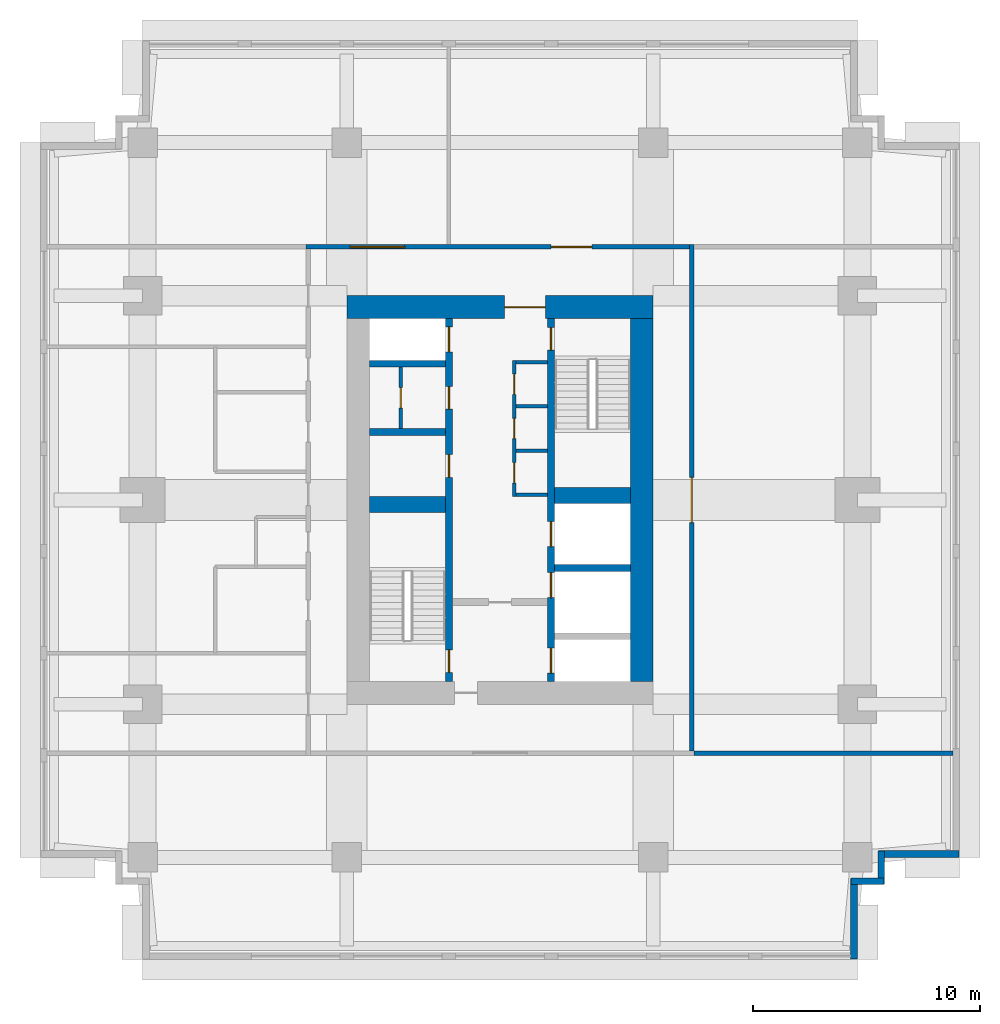
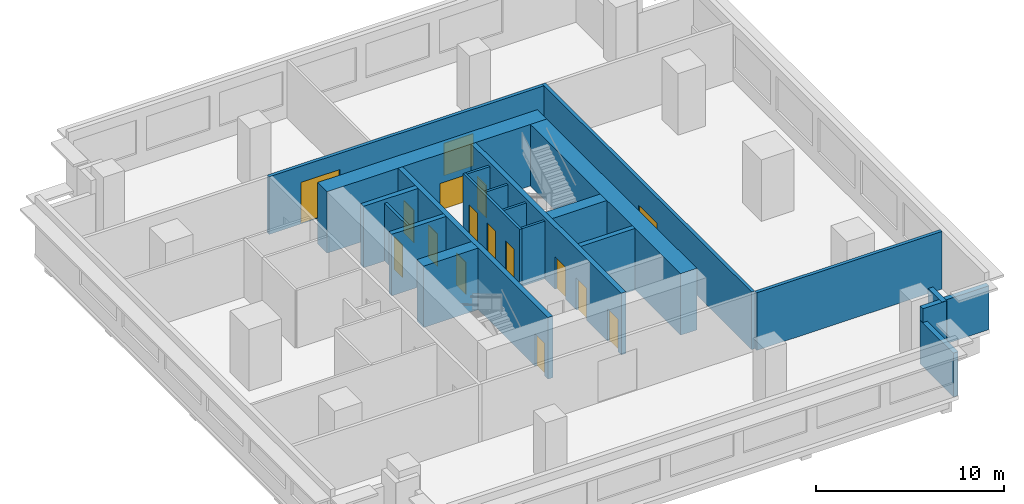
# One storey, part 3 of 5: 22 walls, 16 doors, 16 openings.
"""IFC4 building model written with IfcOpenShell, lengths in metres."""

from ifc_helpers import new_model, si_unit, direction, frame, frame_2d, origin, place, context, subcontext, project, spatial, rectangle, extrude, material, layer, layer_set, type_object, element, fill, save


model = new_model("IFC4")

# Units and contexts
model_context = context("Model", 3, precision=1e-05, world=origin(), true_north=direction((0.0, 1.0)))
body_context = subcontext(model_context, "Body", "Model", "MODEL_VIEW")
ifc_project = project(units=[si_unit("LENGTHUNIT", "METRE"), si_unit("AREAUNIT", "SQUARE_METRE"), si_unit("VOLUMEUNIT", "CUBIC_METRE"), si_unit("PLANEANGLEUNIT", "RADIAN"), si_unit("MASSUNIT", "GRAM", prefix="KILO")], contexts=[model_context])

# Site, building, storey
site_placement = place(None, origin())
site = spatial("IfcSite", under=ifc_project, at=site_placement, CompositionType="ELEMENT")
building_placement = place(site_placement, origin())
building = spatial("IfcBuilding", under=site, at=building_placement, Name="Namib Vertical Campus", CompositionType="ELEMENT")
storey_placement = place(building_placement, frame((0.0, 0.0, 289.0)))
storey = spatial("IfcBuildingStorey", under=building, at=storey_placement, Name="L68", CompositionType="ELEMENT", Elevation=289.0)

# Wall, openings, doors
ifc_material_1 = material(Name="Concrete C60/75", Category="concrete")
ifc_layer_1 = layer(ifc_material_1, 0.300048828125)
ifc_layer_set_1 = layer_set([ifc_layer_1], Name="Concrete C60/75")
wall_type_1 = type_object("IfcWallType", Name="Core inner wall 300", PredefinedType="SHEAR", material=ifc_layer_set_1)
wall_1_placement = place(storey_placement, frame((18.0, 12.25, 0.0), z_axis=(0.0, 0.0, 1.0), x_axis=(0.0, 1.0, 0.0)))
wall_1 = element("IfcWall", 1, at=wall_1_placement, inside=storey, type_object=wall_type_1, Name="Core inner wall A L68 W1", PredefinedType="SHEAR", context=body_context, shape_type="SweptSolid", body=[
    extrude(rectangle(XDim=16.0, YDim=0.300048828125, at=frame_2d((8.0, 0.0))), origin(), (0.0, 0.0, 1.0), 4.0),
])
opening_1_placement = place(wall_1_placement, frame((0.39990234375, 0.0, 0.0)))
opening_1 = element("IfcOpeningElement", 2, at=opening_1_placement, cuts=wall_1, Name="Opening FD1", PredefinedType="OPENING", context=body_context, shape_type="SweptSolid", body=[
    extrude(rectangle(XDim=1.0, YDim=2.10009765625, at=frame_2d((0.5, 1.050048828125))), frame((0.0, 0.159912109375, 0.0), z_axis=(0.0, -1.0, 0.0), x_axis=(1.0, 0.0, 0.0)), (0.0, 0.0, 1.0), 0.320068359375),
])
opening_2_placement = place(wall_1_placement, frame((14.52490234375, 0.0, 0.0)))
opening_2 = element("IfcOpeningElement", 3, at=opening_2_placement, cuts=wall_1, Name="Opening LD1", PredefinedType="OPENING", context=body_context, shape_type="SweptSolid", body=[
    extrude(rectangle(XDim=1.10009765625, YDim=2.10009765625, at=frame_2d((0.550048828125, 1.050048828125))), frame((0.0, 0.159912109375, 0.0), z_axis=(0.0, -1.0, 0.0), x_axis=(1.0, 0.0, 0.0)), (0.0, 0.0, 1.0), 0.320068359375),
])
opening_3_placement = place(wall_1_placement, frame((9.0, 0.0, 0.0)))
opening_3 = element("IfcOpeningElement", 4, at=opening_3_placement, cuts=wall_1, Name="Opening D1", PredefinedType="OPENING", context=body_context, shape_type="SweptSolid", body=[
    extrude(rectangle(XDim=1.0, YDim=2.10009765625, at=frame_2d((0.5, 1.050048828125))), frame((0.0, 0.159912109375, 0.0), z_axis=(0.0, -1.0, 0.0), x_axis=(1.0, 0.0, 0.0)), (0.0, 0.0, 1.0), 0.320068359375),
])
opening_4_placement = place(wall_1_placement, frame((12.0, 0.0, 0.0)))
opening_4 = element("IfcOpeningElement", 5, at=opening_4_placement, cuts=wall_1, Name="Opening D1", PredefinedType="OPENING", context=body_context, shape_type="SweptSolid", body=[
    extrude(rectangle(XDim=1.0, YDim=2.10009765625, at=frame_2d((0.5, 1.050048828125))), frame((0.0, 0.159912109375, 0.0), z_axis=(0.0, -1.0, 0.0), x_axis=(1.0, 0.0, 0.0)), (0.0, 0.0, 1.0), 0.320068359375),
])
ifc_material_2 = material(Name="Timber door leaf", Category="wood")
door_type_1 = type_object("IfcDoorType", Name="Door single 1000x2100", OperationType="SINGLE_SWING_LEFT", PredefinedType="DOOR", material=ifc_material_2)
door_1_placement = place(opening_3_placement, origin())
door_1 = element("IfcDoor", 6, at=door_1_placement, inside=storey, type_object=door_type_1, Name="Door D1 Comms room A L68 P1", OperationType="SINGLE_SWING_LEFT", OverallHeight=2.10009765625, OverallWidth=1.0, PredefinedType="DOOR", context=body_context, shape_type="SweptSolid", body=[
    extrude(rectangle(XDim=1.0, YDim=2.10009765625, at=frame_2d((0.5, 1.050048828125))), frame((0.0, 0.02490234375, 0.0), z_axis=(0.0, -1.0, 0.0), x_axis=(1.0, 0.0, 0.0)), (0.0, 0.0, 1.0), 0.050048828125),
])
fill(opening_3, door_1)
door_2_placement = place(opening_4_placement, origin())
door_2 = element("IfcDoor", 7, at=door_2_placement, inside=storey, type_object=door_type_1, Name="Door D1 Store A L68 P2", OperationType="SINGLE_SWING_LEFT", OverallHeight=2.10009765625, OverallWidth=1.0, PredefinedType="DOOR", context=body_context, shape_type="SweptSolid", body=[
    extrude(rectangle(XDim=1.0, YDim=2.10009765625, at=frame_2d((0.5, 1.050048828125))), frame((0.0, 0.02490234375, 0.0), z_axis=(0.0, -1.0, 0.0), x_axis=(1.0, 0.0, 0.0)), (0.0, 0.0, 1.0), 0.050048828125),
])
fill(opening_4, door_2)
ifc_material_3 = material(Name="Steel fire door", Category="steel")
door_type_2 = type_object("IfcDoorType", Name="Fire door 1000x2100", OperationType="SINGLE_SWING_RIGHT", PredefinedType="DOOR", material=ifc_material_3)
door_3_placement = place(opening_1_placement, origin())
door_3 = element("IfcDoor", 8, at=door_3_placement, inside=storey, type_object=door_type_2, Name="Stair door FD1 A L68 S1", OperationType="SINGLE_SWING_LEFT", OverallHeight=2.10009765625, OverallWidth=1.0, PredefinedType="DOOR", context=body_context, shape_type="SweptSolid", body=[
    extrude(rectangle(XDim=1.0, YDim=2.10009765625, at=frame_2d((0.5, 1.050048828125))), frame((0.0, 0.02490234375, 0.0), z_axis=(0.0, -1.0, 0.0), x_axis=(1.0, 0.0, 0.0)), (0.0, 0.0, 1.0), 0.050048828125),
])
fill(opening_1, door_3)
ifc_material_4 = material(Name="Stainless steel lift door", Category="steel")
door_type_3 = type_object("IfcDoorType", Name="Lift landing door 1100x2100", OperationType="DOUBLE_DOOR_SLIDING", PredefinedType="DOOR", material=ifc_material_4)
door_4_placement = place(opening_2_placement, origin())
door_4 = element("IfcDoor", 9, at=door_4_placement, inside=storey, type_object=door_type_3, Name="Lift landing door LD1 A-P3 L68", OperationType="DOUBLE_DOOR_SLIDING", OverallHeight=2.10009765625, OverallWidth=1.10009765625, PredefinedType="DOOR", context=body_context, shape_type="SweptSolid", body=[
    extrude(rectangle(XDim=1.10009765625, YDim=2.10009765625, at=frame_2d((0.550048828125, 1.050048828125))), frame((0.0, 0.02490234375, 0.0), z_axis=(0.0, -1.0, 0.0), x_axis=(1.0, 0.0, 0.0)), (0.0, 0.0, 1.0), 0.050048828125),
])
fill(opening_2, door_4)

wall_2_placement = place(storey_placement, frame((22.5, 12.25, 0.0), z_axis=(0.0, 0.0, 1.0), x_axis=(0.0, 1.0, 0.0)))
wall_2 = element("IfcWall", 10, at=wall_2_placement, inside=storey, type_object=wall_type_1, Name="Core inner wall A L68 W2", PredefinedType="SHEAR", context=body_context, shape_type="SweptSolid", body=[
    extrude(rectangle(XDim=16.0, YDim=0.300048828125, at=frame_2d((8.0, 0.0))), origin(), (0.0, 0.0, 1.0), 4.0),
])
opening_5_placement = place(wall_2_placement, frame((14.60009765625, 0.0, 0.0)))
opening_5 = element("IfcOpeningElement", 11, at=opening_5_placement, cuts=wall_2, Name="Opening FD1", PredefinedType="OPENING", context=body_context, shape_type="SweptSolid", body=[
    extrude(rectangle(XDim=1.0, YDim=2.10009765625, at=frame_2d((0.5, 1.050048828125))), frame((0.0, 0.159912109375, 0.0), z_axis=(0.0, -1.0, 0.0), x_axis=(1.0, 0.0, 0.0)), (0.0, 0.0, 1.0), 0.320068359375),
])
opening_6_placement = place(wall_2_placement, frame((0.375, 0.0, 0.0)))
opening_6 = element("IfcOpeningElement", 12, at=opening_6_placement, cuts=wall_2, Name="Opening LD1", PredefinedType="OPENING", context=body_context, shape_type="SweptSolid", body=[
    extrude(rectangle(XDim=1.10009765625, YDim=2.10009765625, at=frame_2d((0.550048828125, 1.050048828125))), frame((0.0, 0.159912109375, 0.0), z_axis=(0.0, -1.0, 0.0), x_axis=(1.0, 0.0, 0.0)), (0.0, 0.0, 1.0), 0.320068359375),
])
opening_7_placement = place(wall_2_placement, frame((3.699951171875, 0.0, 0.0)))
opening_7 = element("IfcOpeningElement", 13, at=opening_7_placement, cuts=wall_2, Name="Opening LD1", PredefinedType="OPENING", context=body_context, shape_type="SweptSolid", body=[
    extrude(rectangle(XDim=1.10009765625, YDim=2.10009765625, at=frame_2d((0.550048828125, 1.050048828125))), frame((0.0, 0.159912109375, 0.0), z_axis=(0.0, -1.0, 0.0), x_axis=(1.0, 0.0, 0.0)), (0.0, 0.0, 1.0), 0.320068359375),
])
opening_8_placement = place(wall_2_placement, frame((5.949951171875, 0.0, 0.0)))
opening_8 = element("IfcOpeningElement", 14, at=opening_8_placement, cuts=wall_2, Name="Opening LD1", PredefinedType="OPENING", context=body_context, shape_type="SweptSolid", body=[
    extrude(rectangle(XDim=1.10009765625, YDim=2.10009765625, at=frame_2d((0.550048828125, 1.050048828125))), frame((0.0, 0.159912109375, 0.0), z_axis=(0.0, -1.0, 0.0), x_axis=(1.0, 0.0, 0.0)), (0.0, 0.0, 1.0), 0.320068359375),
])
door_5_placement = place(opening_5_placement, frame((1.0, 0.0, 0.0), z_axis=(0.0, 0.0, 1.0), x_axis=(-1.0, 0.0, 0.0)))
door_5 = element("IfcDoor", 15, at=door_5_placement, inside=storey, type_object=door_type_2, Name="Stair door FD1 A L68 S2", OperationType="SINGLE_SWING_LEFT", OverallHeight=2.10009765625, OverallWidth=1.0, PredefinedType="DOOR", context=body_context, shape_type="SweptSolid", body=[
    extrude(rectangle(XDim=1.0, YDim=2.10009765625, at=frame_2d((0.5, 1.050048828125))), frame((0.0, 0.02490234375, 0.0), z_axis=(0.0, -1.0, 0.0), x_axis=(1.0, 0.0, 0.0)), (0.0, 0.0, 1.0), 0.050048828125),
])
fill(opening_5, door_5)
door_6_placement = place(opening_6_placement, origin())
door_6 = element("IfcDoor", 16, at=door_6_placement, inside=storey, type_object=door_type_3, Name="Lift landing door LD1 A-FL1 L68", OperationType="DOUBLE_DOOR_SLIDING", OverallHeight=2.10009765625, OverallWidth=1.10009765625, PredefinedType="DOOR", context=body_context, shape_type="SweptSolid", body=[
    extrude(rectangle(XDim=1.10009765625, YDim=2.10009765625, at=frame_2d((0.550048828125, 1.050048828125))), frame((0.0, 0.02490234375, 0.0), z_axis=(0.0, -1.0, 0.0), x_axis=(1.0, 0.0, 0.0)), (0.0, 0.0, 1.0), 0.050048828125),
])
fill(opening_6, door_6)
door_7_placement = place(opening_7_placement, origin())
door_7 = element("IfcDoor", 17, at=door_7_placement, inside=storey, type_object=door_type_3, Name="Lift landing door LD1 A-P4 L68", OperationType="DOUBLE_DOOR_SLIDING", OverallHeight=2.10009765625, OverallWidth=1.10009765625, PredefinedType="DOOR", context=body_context, shape_type="SweptSolid", body=[
    extrude(rectangle(XDim=1.10009765625, YDim=2.10009765625, at=frame_2d((0.550048828125, 1.050048828125))), frame((0.0, 0.02490234375, 0.0), z_axis=(0.0, -1.0, 0.0), x_axis=(1.0, 0.0, 0.0)), (0.0, 0.0, 1.0), 0.050048828125),
])
fill(opening_7, door_7)
door_8_placement = place(opening_8_placement, origin())
door_8 = element("IfcDoor", 18, at=door_8_placement, inside=storey, type_object=door_type_3, Name="Lift landing door LD1 A-P5 L68", OperationType="DOUBLE_DOOR_SLIDING", OverallHeight=2.10009765625, OverallWidth=1.10009765625, PredefinedType="DOOR", context=body_context, shape_type="SweptSolid", body=[
    extrude(rectangle(XDim=1.10009765625, YDim=2.10009765625, at=frame_2d((0.550048828125, 1.050048828125))), frame((0.0, 0.02490234375, 0.0), z_axis=(0.0, -1.0, 0.0), x_axis=(1.0, 0.0, 0.0)), (0.0, 0.0, 1.0), 0.050048828125),
])
fill(opening_8, door_8)

# Walls
for number, where, z_axis, x_axis, name in (
    (19, (22.64990234375, 17.25, 0.0), (0.0, 0.0, 1.0), (1.0, 0.0, 0.0), "Core inner wall A L68 W6"),
    (20, (14.5, 23.25, 0.0), (0.0, 0.0, 1.0), (1.0, 0.0, 0.0), "Core inner wall A L68 W8"),
    (21, (14.5, 26.25, 0.0), (0.0, 0.0, 1.0), (1.0, 0.0, 0.0), "Core inner wall A L68 W9"),
):
    element("IfcWall", number, at=place(storey_placement, frame(where, z_axis=z_axis, x_axis=x_axis)), inside=storey, type_object=wall_type_1, Name=name, PredefinedType="SHEAR", context=body_context, shape_type="SweptSolid", body=[
        extrude(rectangle(XDim=3.35009765625, YDim=0.300048828125, at=frame_2d((1.675048828125, 0.0))), origin(), (0.0, 0.0, 1.0), 4.0),
    ])
ifc_material_5 = material(Name="Concrete C60/75", Category="concrete")
ifc_layer_2 = layer(ifc_material_5, 0.699951171875)
ifc_layer_set_2 = layer_set([ifc_layer_2], Name="Concrete C60/75")
wall_type_2 = type_object("IfcWallType", Name="Core shear wall 700", PredefinedType="SHEAR", material=ifc_layer_set_2)
for number, where, z_axis, x_axis, name in (
    (22, (14.5, 20.050048828125, 0.0), (0.0, 0.0, 1.0), (1.0, 0.0, 0.0), "Core shear wall A L68 W3"),
    (23, (22.64990234375, 20.449951171875, 0.0), (0.0, 0.0, 1.0), (1.0, 0.0, 0.0), "Core shear wall A L68 W7"),
):
    element("IfcWall", number, at=place(storey_placement, frame(where, z_axis=z_axis, x_axis=x_axis)), inside=storey, type_object=wall_type_2, Name=name, PredefinedType="SHEAR", context=body_context, shape_type="SweptSolid", body=[
        extrude(rectangle(XDim=3.35009765625, YDim=0.699951171875, at=frame_2d((1.675048828125, 0.0))), origin(), (0.0, 0.0, 1.0), 4.0),
    ])
ifc_material_6 = material(Name="Concrete C60/75", Category="concrete")
ifc_layer_3 = layer(ifc_material_6, 1.0)
ifc_layer_set_3 = layer_set([ifc_layer_3], Name="Concrete C60/75")
wall_type_3 = type_object("IfcWallType", Name="Core wall 1000", PredefinedType="SHEAR", material=ifc_layer_set_3)
wall_3_placement = place(storey_placement, frame((26.5, 12.25, 0.0), z_axis=(0.0, 0.0, 1.0), x_axis=(0.0, 1.0, 0.0)))
element("IfcWall", 24, at=wall_3_placement, inside=storey, type_object=wall_type_3, Name="Core wall A L68 2", PredefinedType="SHEAR", context=body_context, shape_type="SweptSolid", body=[
    extrude(rectangle(XDim=16.0, YDim=1.0, at=frame_2d((8.0, 0.0))), origin(), (0.0, 0.0, 1.0), 4.0),
])

# Wall, opening, door
wall_4_placement = place(storey_placement, frame((27.0, 28.75, 0.0), z_axis=(0.0, 0.0, 1.0), x_axis=(-1.0, 0.0, 0.0)))
wall_4 = element("IfcWall", 25, at=wall_4_placement, inside=storey, type_object=wall_type_3, Name="Core wall A L68 3", PredefinedType="SHEAR", context=body_context, shape_type="SweptSolid", body=[
    extrude(rectangle(XDim=13.5, YDim=1.0, at=frame_2d((6.75, 0.0))), origin(), (0.0, 0.0, 1.0), 4.0),
])
opening_9_placement = place(wall_4_placement, frame((4.75, 0.0, 0.0)))
opening_9 = element("IfcOpeningElement", 26, at=opening_9_placement, cuts=wall_4, Name="Opening FD2", PredefinedType="OPENING", context=body_context, shape_type="SweptSolid", body=[
    extrude(rectangle(XDim=1.800048828125, YDim=2.10009765625, at=frame_2d((0.89990234375, 1.050048828125))), frame((0.0, 0.510009765625, 0.0), z_axis=(0.0, -1.0, 0.0), x_axis=(1.0, 0.0, 0.0)), (0.0, 0.0, 1.0), 1.02001953125),
])
ifc_material_7 = material(Name="Steel fire door", Category="steel")
door_type_4 = type_object("IfcDoorType", Name="Fire door double 1800x2100", OperationType="DOUBLE_DOOR_SINGLE_SWING", PredefinedType="DOOR", material=ifc_material_7)
door_9_placement = place(opening_9_placement, origin())
door_9 = element("IfcDoor", 27, at=door_9_placement, inside=storey, type_object=door_type_4, Name="Lift lobby door FD2 A L68", OperationType="DOUBLE_DOOR_SINGLE_SWING", OverallHeight=2.10009765625, OverallWidth=1.800048828125, PredefinedType="DOOR", context=body_context, shape_type="SweptSolid", body=[
    extrude(rectangle(XDim=1.800048828125, YDim=2.10009765625, at=frame_2d((0.89990234375, 1.050048828125))), frame((0.0, 0.02490234375, 0.0), z_axis=(0.0, -1.0, 0.0), x_axis=(1.0, 0.0, 0.0)), (0.0, 0.0, 1.0), 0.050048828125),
])
fill(opening_9, door_9)

ifc_material_8 = material(Name="Concrete masonry", Category="masonry")
ifc_layer_4 = layer(ifc_material_8, 0.199951171875)
ifc_layer_set_4 = layer_set([ifc_layer_4], Name="Corridor wall 200")
wall_type_4 = type_object("IfcWallType", Name="Corridor wall 200", PredefinedType="SOLIDWALL", material=ifc_layer_set_4)
wall_5_placement = place(storey_placement, frame((28.699951171875, 9.199951171875, 0.0), z_axis=(0.0, 0.0, 1.0), x_axis=(0.0, 1.0, 0.0)))
wall_5 = element("IfcWall", 28, at=wall_5_placement, inside=storey, type_object=wall_type_4, Name="Corridor wall A L68 CE", PredefinedType="SOLIDWALL", context=body_context, shape_type="SweptSolid", body=[
    extrude(rectangle(XDim=22.300048828125, YDim=0.199951171875, at=frame_2d((11.14990234375, 0.0))), origin(), (0.0, 0.0, 1.0), 3.75),
])
opening_10_placement = place(wall_5_placement, frame((10.050048828125, 0.0, 0.0)))
opening_10 = element("IfcOpeningElement", 29, at=opening_10_placement, cuts=wall_5, Name="Opening WD1", PredefinedType="OPENING", context=body_context, shape_type="SweptSolid", body=[
    extrude(rectangle(XDim=2.0, YDim=2.10009765625, at=frame_2d((1.0, 1.050048828125))), frame((0.0, 0.10986328125, 0.0), z_axis=(0.0, -1.0, 0.0), x_axis=(1.0, 0.0, 0.0)), (0.0, 0.0, 1.0), 0.219970703125),
])
ifc_material_9 = material(Name="Steel door", Category="steel")
door_type_5 = type_object("IfcDoorType", Name="Workshop door pair 2000x2100", OperationType="DOUBLE_DOOR_SINGLE_SWING", PredefinedType="DOOR", material=ifc_material_9)
door_10_placement = place(opening_10_placement, frame((2.0, 0.0, 0.0), z_axis=(0.0, 0.0, 1.0), x_axis=(-1.0, 0.0, 0.0)))
door_10 = element("IfcDoor", 30, at=door_10_placement, inside=storey, type_object=door_type_5, Name="Door WD1 A68-02", OperationType="DOUBLE_DOOR_SINGLE_SWING", OverallHeight=2.10009765625, OverallWidth=2.0, PredefinedType="DOOR", context=body_context, shape_type="SweptSolid", body=[
    extrude(rectangle(XDim=2.0, YDim=2.10009765625, at=frame_2d((1.0, 1.050048828125))), frame((0.0, 0.02490234375, 0.0), z_axis=(0.0, -1.0, 0.0), x_axis=(1.0, 0.0, 0.0)), (0.0, 0.0, 1.0), 0.050048828125),
])
fill(opening_10, door_10)

# Wall, openings, doors
wall_6_placement = place(storey_placement, frame((28.60009765625, 31.39990234375, 0.0), z_axis=(0.0, 0.0, 1.0), x_axis=(-1.0, 0.0, 0.0)))
wall_6 = element("IfcWall", 31, at=wall_6_placement, inside=storey, type_object=wall_type_4, Name="Corridor wall A L68 CN", PredefinedType="SOLIDWALL", context=body_context, shape_type="SweptSolid", body=[
    extrude(rectangle(XDim=16.900146484375, YDim=0.199951171875, at=frame_2d((8.4501953125, 0.0))), origin(), (0.0, 0.0, 1.0), 3.75),
])
opening_11_placement = place(wall_6_placement, frame((12.550048828125, 0.0, 0.0)))
opening_11 = element("IfcOpeningElement", 32, at=opening_11_placement, cuts=wall_6, Name="Opening PD1", PredefinedType="OPENING", context=body_context, shape_type="SweptSolid", body=[
    extrude(rectangle(XDim=2.39990234375, YDim=2.699951171875, at=frame_2d((1.199951171875, 1.35009765625))), frame((0.0, 0.10986328125, 0.0), z_axis=(0.0, -1.0, 0.0), x_axis=(1.0, 0.0, 0.0)), (0.0, 0.0, 1.0), 0.219970703125),
])
opening_12_placement = place(wall_6_placement, frame((4.300048828125, 0.0, 0.0)))
opening_12 = element("IfcOpeningElement", 33, at=opening_12_placement, cuts=wall_6, Name="Opening CD2", PredefinedType="OPENING", context=body_context, shape_type="SweptSolid", body=[
    extrude(rectangle(XDim=1.800048828125, YDim=2.10009765625, at=frame_2d((0.89990234375, 1.050048828125))), frame((0.0, 0.10986328125, 0.0), z_axis=(0.0, -1.0, 0.0), x_axis=(1.0, 0.0, 0.0)), (0.0, 0.0, 1.0), 0.219970703125),
])
ifc_material_10 = material(Name="Timber fire door leaf", Category="wood")
door_type_6 = type_object("IfcDoorType", Name="Corridor door double 1800x2100 20 min", OperationType="DOUBLE_DOOR_SINGLE_SWING", PredefinedType="DOOR", material=ifc_material_10)
door_11_placement = place(opening_12_placement, frame((1.800048828125, 0.0, 0.0), z_axis=(0.0, 0.0, 1.0), x_axis=(-1.0, 0.0, 0.0)))
door_11 = element("IfcDoor", 34, at=door_11_placement, inside=storey, type_object=door_type_6, Name="Door CD2 A68-04", OperationType="DOUBLE_DOOR_SINGLE_SWING", OverallHeight=2.10009765625, OverallWidth=1.800048828125, PredefinedType="DOOR", context=body_context, shape_type="SweptSolid", body=[
    extrude(rectangle(XDim=1.800048828125, YDim=2.10009765625, at=frame_2d((0.89990234375, 1.050048828125))), frame((0.0, 0.02490234375, 0.0), z_axis=(0.0, -1.0, 0.0), x_axis=(1.0, 0.0, 0.0)), (0.0, 0.0, 1.0), 0.050048828125),
])
fill(opening_12, door_11)
ifc_material_11 = material(Name="Steel fire door", Category="steel")
door_type_7 = type_object("IfcDoorType", Name="Plant room door pair 2400x2700 60 min", OperationType="DOUBLE_DOOR_SINGLE_SWING", PredefinedType="DOOR", material=ifc_material_11)
door_12_placement = place(opening_11_placement, frame((2.39990234375, 0.0, 0.0), z_axis=(0.0, 0.0, 1.0), x_axis=(-1.0, 0.0, 0.0)))
door_12 = element("IfcDoor", 35, at=door_12_placement, inside=storey, type_object=door_type_7, Name="Door PD1 A68-03", OperationType="DOUBLE_DOOR_SINGLE_SWING", OverallHeight=2.699951171875, OverallWidth=2.39990234375, PredefinedType="DOOR", context=body_context, shape_type="SweptSolid", body=[
    extrude(rectangle(XDim=2.39990234375, YDim=2.699951171875, at=frame_2d((1.199951171875, 1.35009765625))), frame((0.0, 0.02490234375, 0.0), z_axis=(0.0, -1.0, 0.0), x_axis=(1.0, 0.0, 0.0)), (0.0, 0.0, 1.0), 0.050048828125),
])
fill(opening_11, door_12)

# Walls
wall_7_placement = place(storey_placement, frame((28.800048828125, 9.10009765625, 0.0), z_axis=(0.0, 0.0, 1.0), x_axis=(1.0, 0.0, 0.0)))
element("IfcWall", 36, at=wall_7_placement, inside=storey, type_object=wall_type_4, Name="Partition A L68 BSE", PredefinedType="SOLIDWALL", context=body_context, shape_type="SweptSolid", body=[
    extrude(rectangle(XDim=11.39990234375, YDim=0.199951171875, at=frame_2d((5.699951171875, 0.0))), origin(), (0.0, 0.0, 1.0), 3.75),
])
ifc_material_12 = material(Name="Concrete C40/50", Category="concrete")
ifc_layer_5 = layer(ifc_material_12, 0.300048828125)
ifc_layer_set_5 = layer_set([ifc_layer_5], Name="Concrete C40/50")
wall_type_5 = type_object("IfcWallType", Name="External wall 300 board-marked concrete", PredefinedType="STANDARD", material=ifc_layer_set_5)
wall_8_placement = place(storey_placement, frame((35.85009765625, 0.02001953125, 0.0), z_axis=(0.0, 0.0, 1.0), x_axis=(0.0, 1.0, 0.0)))
element("IfcWall", 37, at=wall_8_placement, inside=storey, type_object=wall_type_5, Name="External wall L68 F02", PredefinedType="STANDARD", context=body_context, shape_type="SweptSolid", body=[
    extrude(rectangle(XDim=3.56005859375, YDim=0.300048828125, at=frame_2d((1.780029296875, 0.0))), origin(), (0.0, 0.0, 1.0), 2.85009765625),
])
for number, where, z_axis, x_axis, name in (
    (38, (35.719970703125, 3.449951171875, 0.0), (0.0, 0.0, 1.0), (1.0, 0.0, 0.0), "External wall L68 F03"),
    (39, (37.050048828125, 3.320068359375, 0.0), (0.0, 0.0, 1.0), (0.0, 1.0, 0.0), "External wall L68 F04"),
):
    element("IfcWall", number, at=place(storey_placement, frame(where, z_axis=z_axis, x_axis=x_axis)), inside=storey, type_object=wall_type_5, Name=name, PredefinedType="STANDARD", context=body_context, shape_type="SweptSolid", body=[
        extrude(rectangle(XDim=1.4599609375, YDim=0.300048828125, at=frame_2d((0.72998046875, 0.0))), origin(), (0.0, 0.0, 1.0), 3.75),
    ])
wall_9_placement = place(storey_placement, frame((36.919921875, 4.64990234375, 0.0), z_axis=(0.0, 0.0, 1.0), x_axis=(1.0, 0.0, 0.0)))
element("IfcWall", 40, at=wall_9_placement, inside=storey, type_object=wall_type_5, Name="External wall L68 F05", PredefinedType="STANDARD", context=body_context, shape_type="SweptSolid", body=[
    extrude(rectangle(XDim=3.56005859375, YDim=0.300048828125, at=frame_2d((1.780029296875, 0.0))), origin(), (0.0, 0.0, 1.0), 2.85009765625),
])

# Wall, openings, doors
ifc_material_13 = material(Name="Gypsum board on steel studs", Category="steel")
ifc_layer_6 = layer(ifc_material_13, 0.14990234375)
ifc_layer_set_6 = layer_set([ifc_layer_6], Name="Gypsum board on steel studs")
wall_type_6 = type_object("IfcWallType", Name="Partition 150", PredefinedType="PARTITIONING", material=ifc_layer_set_6)
wall_10_placement = place(storey_placement, frame((20.875, 20.39990234375, 0.0), z_axis=(0.0, 0.0, 1.0), x_axis=(0.0, 1.0, 0.0)))
wall_10 = element("IfcWall", 41, at=wall_10_placement, inside=storey, type_object=wall_type_6, Name="Partition A L68 Records store and Cleaners' store and Linen store front", PredefinedType="PARTITIONING", context=body_context, shape_type="SweptSolid", body=[
    extrude(rectangle(XDim=6.0, YDim=0.14990234375, at=frame_2d((3.0, 0.0))), origin(), (0.0, 0.0, 1.0), 3.75),
])
opening_13_placement = place(wall_10_placement, frame((0.60009765625, 0.0, 0.0)))
opening_13 = element("IfcOpeningElement", 42, at=opening_13_placement, cuts=wall_10, Name="Opening D3", PredefinedType="OPENING", context=body_context, shape_type="SweptSolid", body=[
    extrude(rectangle(XDim=0.89990234375, YDim=2.10009765625, at=frame_2d((0.449951171875, 1.050048828125))), frame((0.0, 0.0849609375, 0.0), z_axis=(0.0, -1.0, 0.0), x_axis=(1.0, 0.0, 0.0)), (0.0, 0.0, 1.0), 0.169921875),
])
opening_14_placement = place(wall_10_placement, frame((2.550048828125, 0.0, 0.0)))
opening_14 = element("IfcOpeningElement", 43, at=opening_14_placement, cuts=wall_10, Name="Opening D3", PredefinedType="OPENING", context=body_context, shape_type="SweptSolid", body=[
    extrude(rectangle(XDim=0.89990234375, YDim=2.10009765625, at=frame_2d((0.449951171875, 1.050048828125))), frame((0.0, 0.0849609375, 0.0), z_axis=(0.0, -1.0, 0.0), x_axis=(1.0, 0.0, 0.0)), (0.0, 0.0, 1.0), 0.169921875),
])
opening_15_placement = place(wall_10_placement, frame((4.5, 0.0, 0.0)))
opening_15 = element("IfcOpeningElement", 44, at=opening_15_placement, cuts=wall_10, Name="Opening D3", PredefinedType="OPENING", context=body_context, shape_type="SweptSolid", body=[
    extrude(rectangle(XDim=0.89990234375, YDim=2.10009765625, at=frame_2d((0.449951171875, 1.050048828125))), frame((0.0, 0.0849609375, 0.0), z_axis=(0.0, -1.0, 0.0), x_axis=(1.0, 0.0, 0.0)), (0.0, 0.0, 1.0), 0.169921875),
])
ifc_material_14 = material(Name="Timber door leaf", Category="wood")
door_type_8 = type_object("IfcDoorType", Name="Toilet door 900x2100", OperationType="SINGLE_SWING_LEFT", PredefinedType="DOOR", material=ifc_material_14)
door_13_placement = place(opening_13_placement, frame((0.89990234375, 0.0, 0.0), z_axis=(0.0, 0.0, 1.0), x_axis=(-1.0, 0.0, 0.0)))
door_13 = element("IfcDoor", 45, at=door_13_placement, inside=storey, type_object=door_type_8, Name="Door D3 Records store A L68", OperationType="SINGLE_SWING_RIGHT", OverallHeight=2.10009765625, OverallWidth=0.89990234375, PredefinedType="DOOR", context=body_context, shape_type="SweptSolid", body=[
    extrude(rectangle(XDim=0.89990234375, YDim=2.10009765625, at=frame_2d((0.449951171875, 1.050048828125))), frame((0.0, 0.02490234375, 0.0), z_axis=(0.0, -1.0, 0.0), x_axis=(1.0, 0.0, 0.0)), (0.0, 0.0, 1.0), 0.050048828125),
])
fill(opening_13, door_13)
door_14_placement = place(opening_14_placement, frame((0.89990234375, 0.0, 0.0), z_axis=(0.0, 0.0, 1.0), x_axis=(-1.0, 0.0, 0.0)))
door_14 = element("IfcDoor", 46, at=door_14_placement, inside=storey, type_object=door_type_8, Name="Door D3 Cleaners' store A L68", OperationType="SINGLE_SWING_RIGHT", OverallHeight=2.10009765625, OverallWidth=0.89990234375, PredefinedType="DOOR", context=body_context, shape_type="SweptSolid", body=[
    extrude(rectangle(XDim=0.89990234375, YDim=2.10009765625, at=frame_2d((0.449951171875, 1.050048828125))), frame((0.0, 0.02490234375, 0.0), z_axis=(0.0, -1.0, 0.0), x_axis=(1.0, 0.0, 0.0)), (0.0, 0.0, 1.0), 0.050048828125),
])
fill(opening_14, door_14)
door_15_placement = place(opening_15_placement, frame((0.89990234375, 0.0, 0.0), z_axis=(0.0, 0.0, 1.0), x_axis=(-1.0, 0.0, 0.0)))
door_15 = element("IfcDoor", 47, at=door_15_placement, inside=storey, type_object=door_type_8, Name="Door D3 Linen store A L68", OperationType="SINGLE_SWING_RIGHT", OverallHeight=2.10009765625, OverallWidth=0.89990234375, PredefinedType="DOOR", context=body_context, shape_type="SweptSolid", body=[
    extrude(rectangle(XDim=0.89990234375, YDim=2.10009765625, at=frame_2d((0.449951171875, 1.050048828125))), frame((0.0, 0.02490234375, 0.0), z_axis=(0.0, -1.0, 0.0), x_axis=(1.0, 0.0, 0.0)), (0.0, 0.0, 1.0), 0.050048828125),
])
fill(opening_15, door_15)

# Walls
for number, where, z_axis, x_axis, name in (
    (48, (20.949951171875, 20.47509765625, 0.0), (0.0, 0.0, 1.0), (1.0, 0.0, 0.0), "Partition A L68 Records store and Cleaners' store and Linen store end 1"),
    (49, (20.949951171875, 22.425048828125, 0.0), (0.0, 0.0, 1.0), (1.0, 0.0, 0.0), "Partition A L68 Records store and Cleaners' store and Linen store division 2"),
    (50, (20.949951171875, 24.375, 0.0), (0.0, 0.0, 1.0), (1.0, 0.0, 0.0), "Partition A L68 Records store and Cleaners' store and Linen store division 3"),
    (51, (20.949951171875, 26.324951171875, 0.0), (0.0, 0.0, 1.0), (1.0, 0.0, 0.0), "Partition A L68 Records store and Cleaners' store and Linen store end 4"),
):
    element("IfcWall", number, at=place(storey_placement, frame(where, z_axis=z_axis, x_axis=x_axis)), inside=storey, type_object=wall_type_6, Name=name, PredefinedType="PARTITIONING", context=body_context, shape_type="SweptSolid", body=[
        extrude(rectangle(XDim=1.400146484375, YDim=0.14990234375, at=frame_2d((0.7001953125, 0.0))), origin(), (0.0, 0.0, 1.0), 3.75),
    ])

# Wall, opening, door
wall_11_placement = place(storey_placement, frame((15.875, 23.39990234375, 0.0), z_axis=(0.0, 0.0, 1.0), x_axis=(0.0, 1.0, 0.0)))
wall_11 = element("IfcWall", 52, at=wall_11_placement, inside=storey, type_object=wall_type_6, Name="Partition A L68 Store P2 back", PredefinedType="PARTITIONING", context=body_context, shape_type="SweptSolid", body=[
    extrude(rectangle(XDim=2.7001953125, YDim=0.14990234375, at=frame_2d((1.35009765625, 0.0))), origin(), (0.0, 0.0, 1.0), 3.75),
])
opening_16_placement = place(wall_11_placement, frame((0.89990234375, 0.0, 0.0)))
opening_16 = element("IfcOpeningElement", 53, at=opening_16_placement, cuts=wall_11, Name="Opening D3", PredefinedType="OPENING", context=body_context, shape_type="SweptSolid", body=[
    extrude(rectangle(XDim=0.89990234375, YDim=2.10009765625, at=frame_2d((0.449951171875, 1.050048828125))), frame((0.0, 0.0849609375, 0.0), z_axis=(0.0, -1.0, 0.0), x_axis=(1.0, 0.0, 0.0)), (0.0, 0.0, 1.0), 0.169921875),
])
door_16_placement = place(opening_16_placement, origin())
door_16 = element("IfcDoor", 54, at=door_16_placement, inside=storey, type_object=door_type_8, Name="Door D3 Store A L68 P2", OperationType="SINGLE_SWING_LEFT", OverallHeight=2.10009765625, OverallWidth=0.89990234375, PredefinedType="DOOR", context=body_context, shape_type="SweptSolid", body=[
    extrude(rectangle(XDim=0.89990234375, YDim=2.10009765625, at=frame_2d((0.449951171875, 1.050048828125))), frame((0.0, 0.02490234375, 0.0), z_axis=(0.0, -1.0, 0.0), x_axis=(1.0, 0.0, 0.0)), (0.0, 0.0, 1.0), 0.050048828125),
])
fill(opening_16, door_16)

save(model, "model.ifc")
